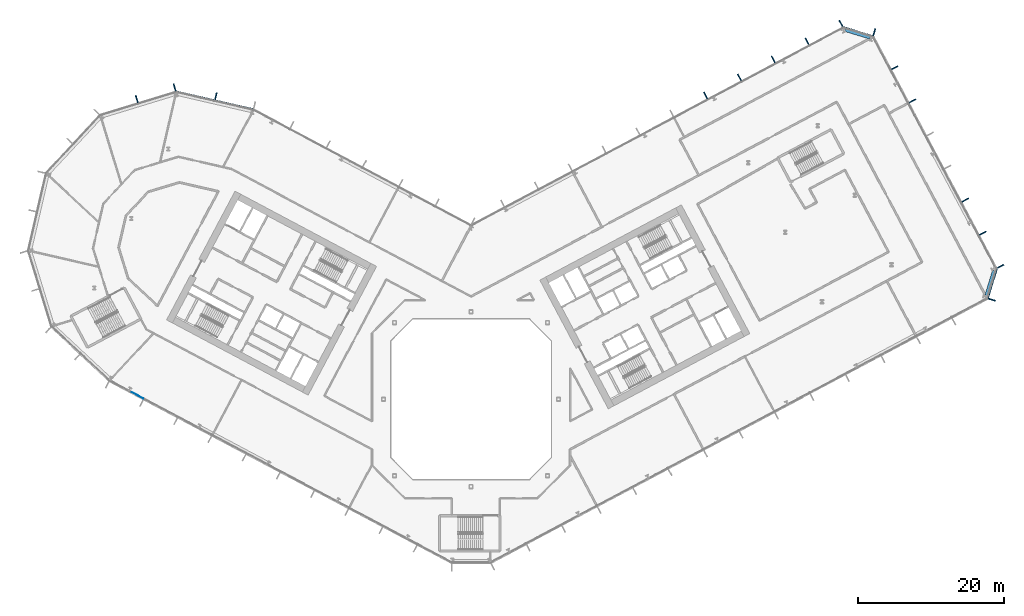
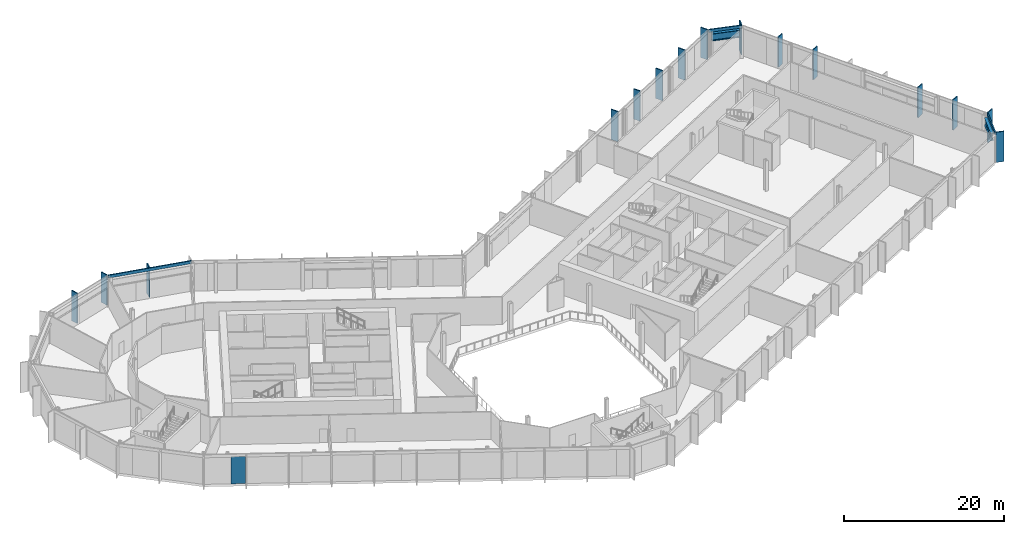
# One storey, part 9 of 30: 18 members, 2 beams, 1 plate, 7 elements without a shape of their own.
"""IFC4 building model written with IfcOpenShell, lengths in metres."""

from ifc_helpers import new_model, si_unit, direction, frame, origin, origin_2d, place, context, subcontext, project, spatial, rectangle, i_section, extrude, material, layer, layer_set, material_profile, profile_set, type_object, element, aggregate, save


model = new_model("IFC4")

# Units and contexts
model_context = context("Model", 3, precision=1e-05, world=origin(), true_north=direction((0.0, 1.0)))
body_context = subcontext(model_context, "Body", "Model", "MODEL_VIEW")
ifc_project = project(units=[si_unit("LENGTHUNIT", "METRE"), si_unit("AREAUNIT", "SQUARE_METRE"), si_unit("VOLUMEUNIT", "CUBIC_METRE"), si_unit("PLANEANGLEUNIT", "RADIAN"), si_unit("MASSUNIT", "GRAM", prefix="KILO")], contexts=[model_context])

# Site, building, storey
site_placement = place(None, origin())
site = spatial("IfcSite", under=ifc_project, at=site_placement, CompositionType="ELEMENT")
building_placement = place(site_placement, origin())
building = spatial("IfcBuilding", under=site, at=building_placement, Name="Cormorant Relay Tower", CompositionType="ELEMENT")
storey_placement = place(building_placement, frame((0.0, 0.0, 80.0)))
storey = spatial("IfcBuildingStorey", under=building, at=storey_placement, Name="L15", CompositionType="ELEMENT", Elevation=80.0)

# Curtain wall, member
ifc_material_1 = material(Name="Aluminium 6063-T6 anodised bronze", Category="aluminium")
ifc_layer_1 = layer(ifc_material_1, 0.199951171875)
ifc_layer_set_1 = layer_set([ifc_layer_1], Name="CW1 unitised bronze curtain wall with vertical fins")
curtain_wall_type = type_object("IfcCurtainWallType", Name="CW1 unitised bronze curtain wall with vertical fins", PredefinedType="NOTDEFINED", material=ifc_layer_set_1)
curtain_wall_1_placement = place(storey_placement, origin())
curtain_wall_1 = element("IfcCurtainWall", 1, at=curtain_wall_1_placement, inside=storey, type_object=curtain_wall_type, Name="CW1 curtain wall 3", PredefinedType="NOTDEFINED")
ifc_material_2 = material(Name="Aluminium 6063-T6 anodised bronze", Category="aluminium")
ifc_material_profile_1 = material_profile(ifc_material_2, rectangle(XDim=0.14990234375, YDim=1.0, at=origin_2d()), Name="AL 150x1000")
ifc_profile_set_1 = profile_set([ifc_material_profile_1], Name="Aluminium 6063-T6 anodised bronze")
member_type_1 = type_object("IfcMemberType", Name="CW1 bronze fin mullion 150 x 1000", PredefinedType="MULLION", material=ifc_profile_set_1)
member_1_placement = place(storey_placement, frame((71.45166015625, 13.64697265625, 0.0), z_axis=(0.0, 0.0, 1.0), x_axis=(0.292371704723, 0.956304755963, 0.0)))
member_1 = element("IfcMember", 2, at=member_1_placement, type_object=member_type_1, Name="CW1 fin 3.1", PredefinedType="MULLION", context=body_context, shape_type="SweptSolid", body=[
    extrude(rectangle(XDim=0.14990234375, YDim=1.0, at=origin_2d()), origin(), (0.0, 0.0, 1.0), 4.60009765625),
])

# Curtain wall, members
curtain_wall_2_placement = place(storey_placement, origin())
curtain_wall_2 = element("IfcCurtainWall", 3, at=curtain_wall_2_placement, inside=storey, type_object=curtain_wall_type, Name="CW1 curtain wall 4", PredefinedType="NOTDEFINED")
member_2_placement = place(storey_placement, frame((72.640869140625, 18.237548828125, 0.0), z_axis=(0.0, 0.0, 1.0), x_axis=(-0.469471562786, 0.882947592859, 0.0)))
member_2 = element("IfcMember", 4, at=member_2_placement, type_object=member_type_1, Name="CW1 fin 4.1", PredefinedType="MULLION", context=body_context, shape_type="SweptSolid", body=[
    extrude(rectangle(XDim=0.14990234375, YDim=1.0, at=origin_2d()), origin(), (0.0, 0.0, 1.0), 4.60009765625),
])
member_3_placement = place(storey_placement, frame((70.226318359375, 22.7783203125, 0.0), z_axis=(0.0, 0.0, 1.0), x_axis=(-0.469471562786, 0.882947592859, 0.0)))
member_3 = element("IfcMember", 5, at=member_3_placement, type_object=member_type_1, Name="CW1 fin 4.2", PredefinedType="MULLION", context=body_context, shape_type="SweptSolid", body=[
    extrude(rectangle(XDim=0.14990234375, YDim=1.0, at=origin_2d()), origin(), (0.0, 0.0, 1.0), 4.60009765625),
])
member_4_placement = place(storey_placement, frame((67.81201171875, 27.3193359375, 0.0), z_axis=(0.0, 0.0, 1.0), x_axis=(-0.469471562786, 0.882947592859, 0.0)))
member_4 = element("IfcMember", 6, at=member_4_placement, type_object=member_type_1, Name="CW1 fin 4.3", PredefinedType="MULLION", context=body_context, shape_type="SweptSolid", body=[
    extrude(rectangle(XDim=0.14990234375, YDim=1.0, at=origin_2d()), origin(), (0.0, 0.0, 1.0), 4.60009765625),
])
member_5_placement = place(storey_placement, frame((60.568603515625, 40.94189453125, 0.0), z_axis=(0.0, 0.0, 1.0), x_axis=(-0.469471562786, 0.882947592859, 0.0)))
member_5 = element("IfcMember", 7, at=member_5_placement, type_object=member_type_1, Name="CW1 fin 4.6", PredefinedType="MULLION", context=body_context, shape_type="SweptSolid", body=[
    extrude(rectangle(XDim=0.14990234375, YDim=1.0, at=origin_2d()), origin(), (0.0, 0.0, 1.0), 4.60009765625),
])
member_6_placement = place(storey_placement, frame((58.154296875, 45.48291015625, 0.0), z_axis=(0.0, 0.0, 1.0), x_axis=(-0.469471562786, 0.882947592859, 0.0)))
member_6 = element("IfcMember", 8, at=member_6_placement, type_object=member_type_1, Name="CW1 fin 4.7", PredefinedType="MULLION", context=body_context, shape_type="SweptSolid", body=[
    extrude(rectangle(XDim=0.14990234375, YDim=1.0, at=origin_2d()), origin(), (0.0, 0.0, 1.0), 4.60009765625),
])
aggregate(curtain_wall_2, [member_2, member_3, member_4, member_5, member_6])

# Curtain wall, member
curtain_wall_3_placement = place(storey_placement, origin())
curtain_wall_3 = element("IfcCurtainWall", 9, at=curtain_wall_3_placement, inside=storey, type_object=curtain_wall_type, Name="CW1 curtain wall 5", PredefinedType="NOTDEFINED")
member_7_placement = place(storey_placement, frame((55.326416015625, 50.364501953125, 0.0), z_axis=(0.0, 0.0, 1.0), x_axis=(-0.956304755963, 0.292371704723, 0.0)))
member_7 = element("IfcMember", 10, at=member_7_placement, type_object=member_type_1, Name="CW1 fin 5.1", PredefinedType="MULLION", context=body_context, shape_type="SweptSolid", body=[
    extrude(rectangle(XDim=0.14990234375, YDim=1.0, at=origin_2d()), origin(), (0.0, 0.0, 1.0), 4.60009765625),
])

# Curtain wall, members
curtain_wall_4_placement = place(storey_placement, origin())
curtain_wall_4 = element("IfcCurtainWall", 11, at=curtain_wall_4_placement, inside=storey, type_object=curtain_wall_type, Name="CW1 curtain wall 6", PredefinedType="NOTDEFINED")
member_8_placement = place(storey_placement, frame((50.73583984375, 51.553466796875, 0.0), z_axis=(0.0, 0.0, 1.0), x_axis=(-0.882947592859, -0.469471562786, 0.0)))
member_8 = element("IfcMember", 12, at=member_8_placement, type_object=member_type_1, Name="CW1 fin 6.1", PredefinedType="MULLION", context=body_context, shape_type="SweptSolid", body=[
    extrude(rectangle(XDim=0.14990234375, YDim=1.0, at=origin_2d()), origin(), (0.0, 0.0, 1.0), 4.60009765625),
])
member_9_placement = place(storey_placement, frame((46.093505859375, 49.085205078125, 0.0), z_axis=(0.0, 0.0, 1.0), x_axis=(-0.882947592859, -0.469471562786, 0.0)))
member_9 = element("IfcMember", 13, at=member_9_placement, type_object=member_type_1, Name="CW1 fin 6.2", PredefinedType="MULLION", context=body_context, shape_type="SweptSolid", body=[
    extrude(rectangle(XDim=0.14990234375, YDim=1.0, at=origin_2d()), origin(), (0.0, 0.0, 1.0), 4.60009765625),
])
member_10_placement = place(storey_placement, frame((41.451416015625, 46.616943359375, 0.0), z_axis=(0.0, 0.0, 1.0), x_axis=(-0.882947592859, -0.469471562786, 0.0)))
member_10 = element("IfcMember", 14, at=member_10_placement, type_object=member_type_1, Name="CW1 fin 6.3", PredefinedType="MULLION", context=body_context, shape_type="SweptSolid", body=[
    extrude(rectangle(XDim=0.14990234375, YDim=1.0, at=origin_2d()), origin(), (0.0, 0.0, 1.0), 4.60009765625),
])
member_11_placement = place(storey_placement, frame((36.80908203125, 44.148681640625, 0.0), z_axis=(0.0, 0.0, 1.0), x_axis=(-0.882947592859, -0.469471562786, 0.0)))
member_11 = element("IfcMember", 15, at=member_11_placement, type_object=member_type_1, Name="CW1 fin 6.4", PredefinedType="MULLION", context=body_context, shape_type="SweptSolid", body=[
    extrude(rectangle(XDim=0.14990234375, YDim=1.0, at=origin_2d()), origin(), (0.0, 0.0, 1.0), 4.60009765625),
])
member_12_placement = place(storey_placement, frame((32.1669921875, 41.68017578125, 0.0), z_axis=(0.0, 0.0, 1.0), x_axis=(-0.882947592859, -0.469471562786, 0.0)))
member_12 = element("IfcMember", 16, at=member_12_placement, type_object=member_type_1, Name="CW1 fin 6.5", PredefinedType="MULLION", context=body_context, shape_type="SweptSolid", body=[
    extrude(rectangle(XDim=0.14990234375, YDim=1.0, at=origin_2d()), origin(), (0.0, 0.0, 1.0), 4.60009765625),
])
aggregate(curtain_wall_4, [member_8, member_9, member_10, member_11, member_12])

# Curtain wall, member
curtain_wall_5_placement = place(storey_placement, origin())
curtain_wall_5 = element("IfcCurtainWall", 17, at=curtain_wall_5_placement, inside=storey, type_object=curtain_wall_type, Name="CW1 curtain wall 8", PredefinedType="NOTDEFINED")
member_13_placement = place(storey_placement, frame((-35.01220703125, 41.57275390625, 0.0), z_axis=(0.0, 0.0, 1.0), x_axis=(-0.974370064785, 0.224951054344, 0.0)))
member_13 = element("IfcMember", 18, at=member_13_placement, type_object=member_type_1, Name="CW1 fin 8.2", PredefinedType="MULLION", context=body_context, shape_type="SweptSolid", body=[
    extrude(rectangle(XDim=0.14990234375, YDim=1.0, at=origin_2d()), origin(), (0.0, 0.0, 1.0), 4.60009765625),
])

# Curtain wall, members
curtain_wall_6_placement = place(storey_placement, origin())
curtain_wall_6 = element("IfcCurtainWall", 19, at=curtain_wall_6_placement, inside=storey, type_object=curtain_wall_type, Name="CW1 curtain wall 9", PredefinedType="NOTDEFINED")
member_14_placement = place(storey_placement, frame((-40.670166015625, 42.78271484375, 0.0), z_axis=(0.0, 0.0, 1.0), x_axis=(-0.956304755963, -0.292371704723, 0.0)))
member_14 = element("IfcMember", 20, at=member_14_placement, type_object=member_type_1, Name="CW1 fin 9.1", PredefinedType="MULLION", context=body_context, shape_type="SweptSolid", body=[
    extrude(rectangle(XDim=0.14990234375, YDim=1.0, at=origin_2d()), origin(), (0.0, 0.0, 1.0), 4.60009765625),
])
member_15_placement = place(storey_placement, frame((-45.867919921875, 41.193603515625, 0.0), z_axis=(0.0, 0.0, 1.0), x_axis=(-0.956304755963, -0.292371704723, 0.0)))
member_15 = element("IfcMember", 21, at=member_15_placement, type_object=member_type_1, Name="CW1 fin 9.2", PredefinedType="MULLION", context=body_context, shape_type="SweptSolid", body=[
    extrude(rectangle(XDim=0.14990234375, YDim=1.0, at=origin_2d()), origin(), (0.0, 0.0, 1.0), 4.60009765625),
])
aggregate(curtain_wall_6, [member_14, member_15])

# Member
ifc_material_3 = material(Name="Aluminium 6063-T6 anodised bronze", Category="aluminium")
ifc_material_profile_2 = material_profile(ifc_material_3, rectangle(XDim=0.159912109375, YDim=0.449951171875, at=origin_2d()), Name="AL 160x450")
ifc_profile_set_2 = profile_set([ifc_material_profile_2], Name="Aluminium 6063-T6 anodised bronze")
member_type_2 = type_object("IfcMemberType", Name="CW1 bronze transom 160 x 450", PredefinedType="USERDEFINED", material=ifc_profile_set_2)
member_16_placement = place(storey_placement, frame((70.89697265625, 13.816650390625, 4.375), z_axis=(0.292391046905, 0.95629884225, 0.0), x_axis=(-0.95629884225, 0.292391046905, 0.0)))
member_16 = element("IfcMember", 22, at=member_16_placement, type_object=member_type_2, Name="CW1 transom 3", ObjectType="TRANSOM", PredefinedType="USERDEFINED", context=body_context, shape_type="SweptSolid", body=[
    extrude(rectangle(XDim=0.159912109375, YDim=0.449951171875, at=origin_2d()), origin(), (0.0, 0.0, 1.0), 4.242431640625),
])

aggregate(curtain_wall_1, [member_1, member_16])

member_17_placement = place(storey_placement, frame((55.15673828125, 49.809814453125, 4.375), z_axis=(-0.95629884225, 0.292391046905, 0.0), x_axis=(-0.292391046905, -0.95629884225, 0.0)))
member_17 = element("IfcMember", 23, at=member_17_placement, type_object=member_type_2, Name="CW1 transom 5", ObjectType="TRANSOM", PredefinedType="USERDEFINED", context=body_context, shape_type="SweptSolid", body=[
    extrude(rectangle(XDim=0.159912109375, YDim=0.449951171875, at=origin_2d()), origin(), (0.0, 0.0, 1.0), 4.242431640625),
])

aggregate(curtain_wall_3, [member_7, member_17])

member_18_placement = place(storey_placement, frame((-29.8466796875, 39.784912109375, 4.375), z_axis=(-0.974365070969, 0.224972683844, 0.0), x_axis=(-0.224972683844, -0.974365070969, 0.0)))
member_18 = element("IfcMember", 24, at=member_18_placement, type_object=member_type_2, Name="CW1 transom 8", ObjectType="TRANSOM", PredefinedType="USERDEFINED", context=body_context, shape_type="SweptSolid", body=[
    extrude(rectangle(XDim=0.159912109375, YDim=0.449951171875, at=origin_2d()), origin(), (0.0, 0.0, 1.0), 10.870361328125),
])

aggregate(curtain_wall_5, [member_13, member_18])

# Beams
ifc_material_4 = material(Name="Steel ASTM A992 (Fy 345 MPa)", Category="steel")
ifc_material_profile_3 = material_profile(ifc_material_4, i_section(OverallWidth=0.40380859375, OverallDepth=1.11767578125, WebThickness=0.026123046875, FlangeThickness=0.044921875, FilletRadius=0.02001953125, at=origin_2d()), Name="W1100x499")
ifc_profile_set_3 = profile_set([ifc_material_profile_3], Name="Steel ASTM A992 (Fy 345 MPa)")
beam_type = type_object("IfcBeamType", Name="Spandrel W1100x499", PredefinedType="SPANDREL", material=ifc_profile_set_3)
for number, where, z_axis, x_axis, name in (
    (25, (70.6943359375, 14.255126953125, 3.64111328125), (0.292423449705, 0.956288934403, 0.0), (-0.956288934403, 0.292423449705, 0.0), "Spandrel beam L15-003"),
    (26, (54.718017578125, 49.607421875, 3.64111328125), (-0.956308047674, 0.292360937806, 0.0), (-0.292360937806, -0.956308047674, 0.0), "Spandrel beam L15-005"),
):
    element("IfcBeam", number, at=place(storey_placement, frame(where, z_axis=z_axis, x_axis=x_axis)), inside=storey, type_object=beam_type, Name=name, PredefinedType="SPANDREL", context=body_context, shape_type="SweptSolid", body=[
        extrude(i_section(OverallWidth=0.40380859375, OverallDepth=1.11767578125, WebThickness=0.026123046875, FlangeThickness=0.044921875, FilletRadius=0.02001953125, at=origin_2d()), origin(), (0.0, 0.0, 1.0), 3.571533203125),
    ])

# Curtain wall, plate
curtain_wall_7_placement = place(storey_placement, origin())
curtain_wall_7 = element("IfcCurtainWall", 27, at=curtain_wall_7_placement, inside=storey, type_object=curtain_wall_type, Name="CW1 curtain wall 14", PredefinedType="NOTDEFINED")
ifc_material_5 = material(Name="Tinted laminated glass", Category="glass")
ifc_layer_2 = layer(ifc_material_5, 0.0400390625)
ifc_layer_set_2 = layer_set([ifc_layer_2], Name="CW1 tinted vision panel 1800 module")
plate_type = type_object("IfcPlateType", Name="CW1 tinted vision panel 1800 module", PredefinedType="CURTAIN_PANEL", material=ifc_layer_set_2)
plate_placement = place(storey_placement, frame((-45.767578125, 0.5283203125, 0.0), z_axis=(0.0, 0.0, 1.0), x_axis=(0.882947592859, -0.469471562786, 0.0)))
plate = element("IfcPlate", 28, at=plate_placement, type_object=plate_type, Name="CW1 panel V01", PredefinedType="CURTAIN_PANEL", context=body_context, shape_type="SweptSolid", body=[
    extrude(rectangle(XDim=1.800048828125, YDim=0.0400390625, at=origin_2d()), origin(), (0.0, 0.0, 1.0), 4.14990234375),
])
aggregate(curtain_wall_7, [plate])

save(model, "model.ifc")
